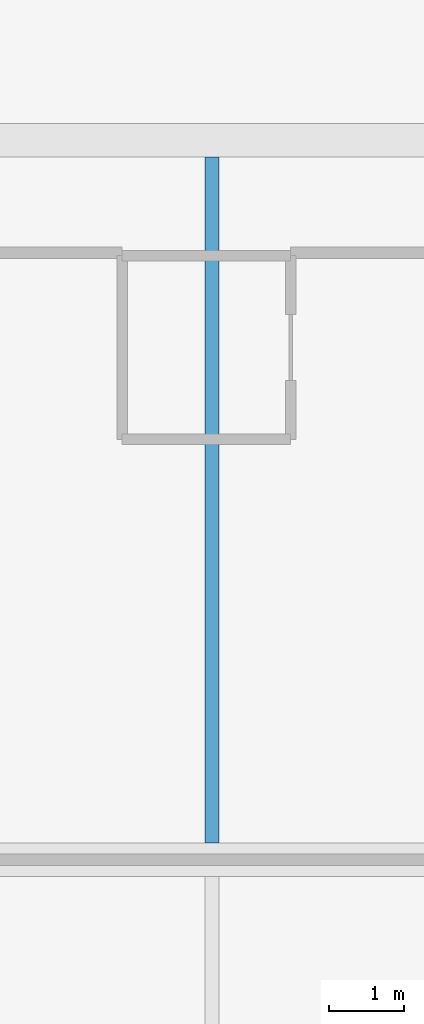
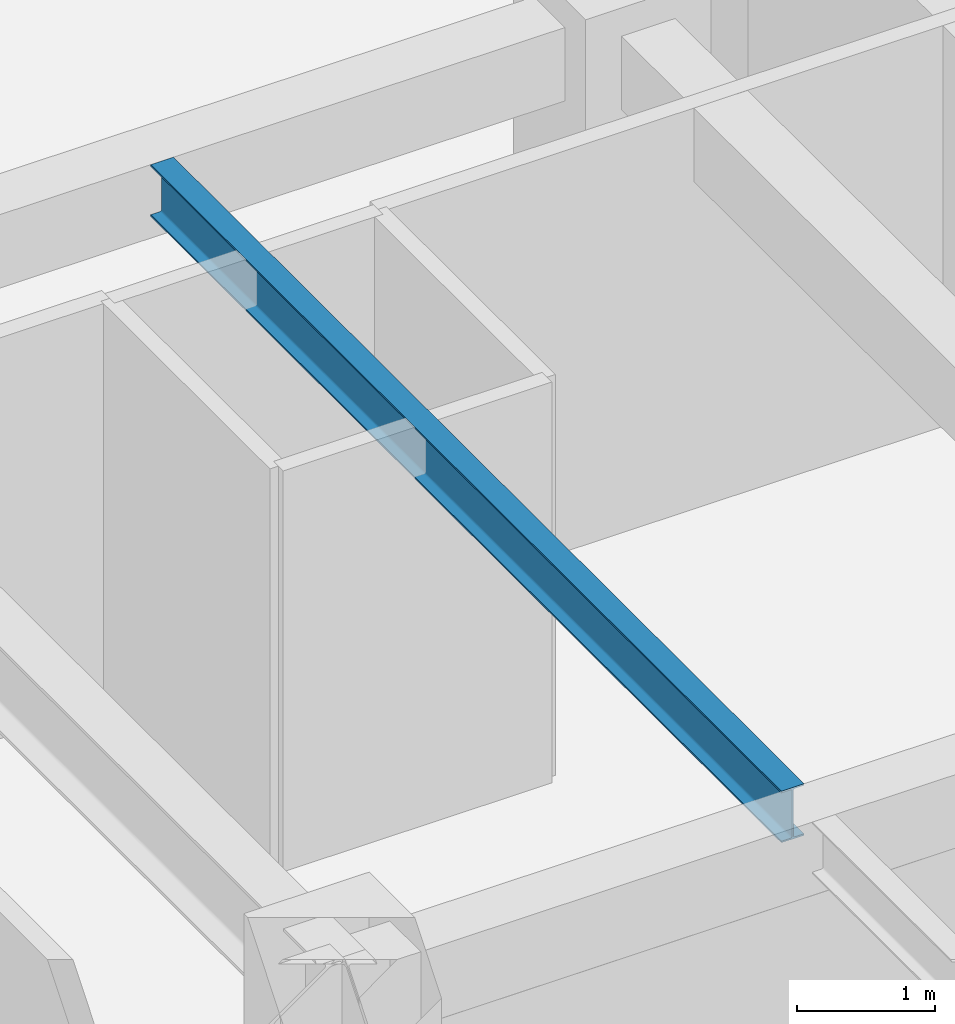
# One storey, part 2 of 11: 1 beam.
"""IFC4 building model written with IfcOpenShell, lengths in metres."""

from ifc_helpers import new_model, si_unit, direction, frame, origin, origin_2d, place, context, subcontext, project, spatial, i_section, extrude, material, material_profile, profile_set, type_object, element, save


model = new_model("IFC4")

# Units and contexts
model_context = context("Model", 3, precision=1e-05, world=origin(), true_north=direction((0.0, 1.0)))
body_context = subcontext(model_context, "Body", "Model", "MODEL_VIEW")
ifc_project = project(units=[si_unit("LENGTHUNIT", "METRE"), si_unit("AREAUNIT", "SQUARE_METRE"), si_unit("VOLUMEUNIT", "CUBIC_METRE"), si_unit("PLANEANGLEUNIT", "RADIAN"), si_unit("MASSUNIT", "GRAM", prefix="KILO")], contexts=[model_context])

# Site, building, storey
site_placement = place(None, origin())
site = spatial("IfcSite", under=ifc_project, at=site_placement, CompositionType="ELEMENT")
building_placement = place(site_placement, origin())
building = spatial("IfcBuilding", under=site, at=building_placement, Name="Kestravale Grand Hotel", CompositionType="ELEMENT")
storey_placement = place(building_placement, frame((0.0, 0.0, 168.800048828125)))
storey = spatial("IfcBuildingStorey", under=building, at=storey_placement, Name="L42", CompositionType="ELEMENT", Elevation=168.800048828125)

# Beam
ifc_material = material(Name="Steel ASTM A992 Grade 50", Category="steel")
ifc_material_profile = material_profile(ifc_material, i_section(OverallWidth=0.19091796875, OverallDepth=0.45703125, WebThickness=0.009033203125, FlangeThickness=0.014404296875, FilletRadius=0.015380859375, at=origin_2d()))
ifc_profile_set = profile_set([ifc_material_profile], Name="Steel ASTM A992 Grade 50")
beam_type = type_object("IfcBeamType", Name="B-FLR-JST18", PredefinedType="JOIST", material=ifc_profile_set)
beam_placement = place(storey_placement, frame((66.300048828125, 29.02490234375, 3.321533203125), z_axis=(0.0, 1.0, 0.0), x_axis=(-1.0, 0.0, 0.0)))
element("IfcBeam", 1, at=beam_placement, inside=storey, type_object=beam_type, Name="L42 floor joist 10-11/E-F #1", PredefinedType="JOIST", context=body_context, shape_type="SweptSolid", body=[
    extrude(i_section(OverallWidth=0.19091796875, OverallDepth=0.45703125, WebThickness=0.009033203125, FlangeThickness=0.014404296875, FilletRadius=0.015380859375, at=origin_2d()), origin(), (0.0, 0.0, 1.0), 9.150146484375),
])

save(model, "model.ifc")
